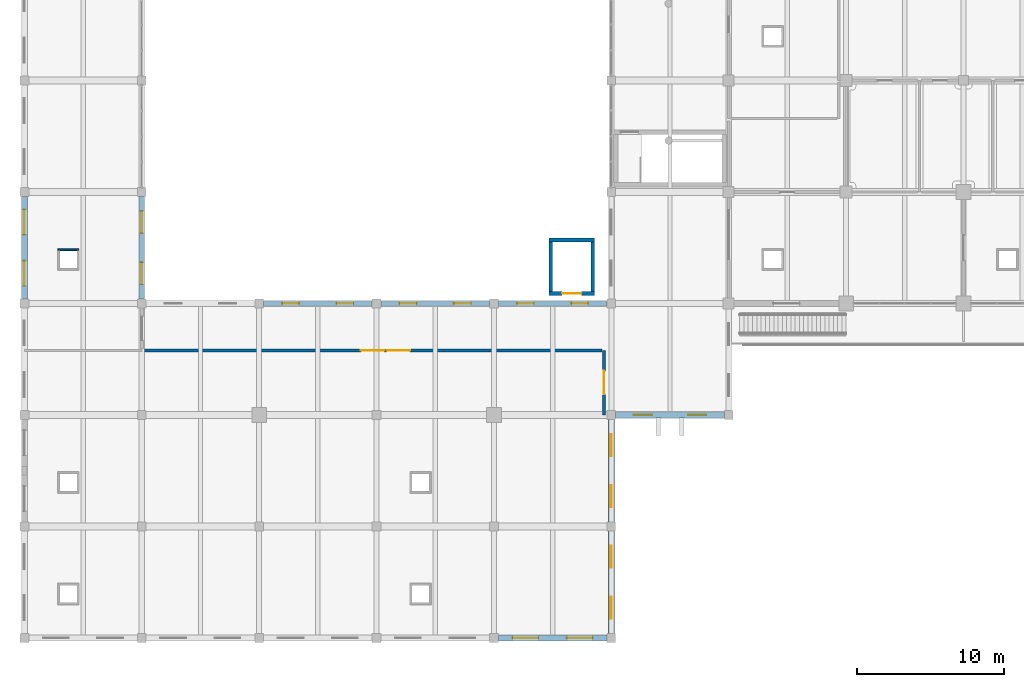
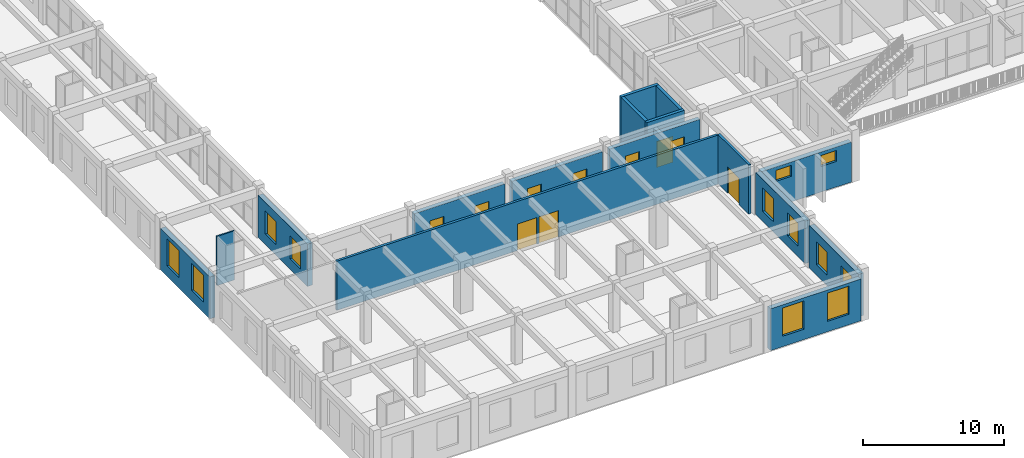
# One storey, part 52 of 79: 18 windows, 16 walls, 4 doors, 22 openings.
"""IFC4 building model written with IfcOpenShell, lengths in metres."""

from ifc_helpers import new_model, si_unit, direction, frame, frame_2d, origin, place, context, subcontext, project, spatial, rectangle, extrude, material, layer, layer_set, type_object, element, fill, save


model = new_model("IFC4")

# Units and contexts
model_context = context("Model", 3, precision=1e-05, world=origin(), true_north=direction((0.0, 1.0)))
body_context = subcontext(model_context, "Body", "Model", "MODEL_VIEW")
ifc_project = project(units=[si_unit("LENGTHUNIT", "METRE"), si_unit("AREAUNIT", "SQUARE_METRE"), si_unit("VOLUMEUNIT", "CUBIC_METRE"), si_unit("PLANEANGLEUNIT", "RADIAN"), si_unit("MASSUNIT", "GRAM", prefix="KILO")], contexts=[model_context])

# Site, building, storey
site_placement = place(None, origin())
site = spatial("IfcSite", under=ifc_project, at=site_placement, CompositionType="ELEMENT")
building_placement = place(site_placement, origin())
building = spatial("IfcBuilding", under=site, at=building_placement, Name="Zantavel Square City Hall", CompositionType="ELEMENT")
storey_placement = place(building_placement, frame((0.0, 0.0, 10.199951171875)))
storey = spatial("IfcBuildingStorey", under=building, at=storey_placement, Name="L03", CompositionType="ELEMENT", Elevation=10.199951171875)

# Wall, openings, windows
ifc_material_1 = material(Name="Cantera volcanic tuff stone", Category="masonry")
ifc_layer_1 = layer(ifc_material_1, 0.39990234375, Name="Cantera volcanic tuff stone")
ifc_layer_set_1 = layer_set([ifc_layer_1], Name="Cantera volcanic tuff stone")
wall_type_1 = type_object("IfcWallType", Name="Civic Pavilion Cantera Ashlar Wall 400mm", PredefinedType="STANDARD", material=ifc_layer_set_1)
wall_1_placement = place(storey_placement, frame((55.699951171875, 22.800048828125, 0.0), z_axis=(0.0, 0.0, 1.0), x_axis=(-1.0, 0.0, 0.0)))
wall_1 = element("IfcWall", 1, at=wall_1_placement, inside=storey, type_object=wall_type_1, Name="L03 Exterior Wall EW-L03-043", PredefinedType="STANDARD", context=body_context, shape_type="SweptSolid", body=[
    extrude(rectangle(XDim=7.39990234375, YDim=0.39990234375, at=frame_2d((3.699951171875, 0.0))), origin(), (0.0, 0.0, 1.0), 3.469970703125),
])
opening_1_placement = place(wall_1_placement, frame((1.22509765625, 0.0, 2.219970703125)))
opening_1 = element("IfcOpeningElement", 2, at=opening_1_placement, cuts=wall_1, Name="Opening W-326", PredefinedType="OPENING", context=body_context, shape_type="SweptSolid", body=[
    extrude(rectangle(XDim=1.25, YDim=0.949951171875, at=frame_2d((0.625, 0.47509765625))), frame((0.0, 0.2099609375, 0.0), z_axis=(0.0, -1.0, 0.0), x_axis=(1.0, 0.0, 0.0)), (0.0, 0.0, 1.0), 0.419921875),
])
opening_2_placement = place(wall_1_placement, frame((4.925048828125, 0.0, 2.219970703125)))
opening_2 = element("IfcOpeningElement", 3, at=opening_2_placement, cuts=wall_1, Name="Opening W-327", PredefinedType="OPENING", context=body_context, shape_type="SweptSolid", body=[
    extrude(rectangle(XDim=1.25, YDim=0.949951171875, at=frame_2d((0.625, 0.47509765625))), frame((0.0, 0.2099609375, 0.0), z_axis=(0.0, -1.0, 0.0), x_axis=(1.0, 0.0, 0.0)), (0.0, 0.0, 1.0), 0.419921875),
])
ifc_material_2 = material(Name="Tempered safety glass low-E double glazing", Category="glass")
window_type_1 = type_object("IfcWindowType", Name="Window Archive High Clerestory 1250x950", PartitioningType="SINGLE_PANEL", PredefinedType="WINDOW", material=ifc_material_2)
window_1_placement = place(opening_1_placement, origin())
window_1 = element("IfcWindow", 4, at=window_1_placement, inside=storey, type_object=window_type_1, Name="L03 Window W-326", OverallHeight=0.949951171875, OverallWidth=1.25, PartitioningType="SINGLE_PANEL", PredefinedType="WINDOW", context=body_context, shape_type="SweptSolid", body=[
    extrude(rectangle(XDim=1.25, YDim=0.949951171875, at=frame_2d((0.625, 0.47509765625))), frame((0.0, 0.030029296875, 0.0), z_axis=(0.0, -1.0, 0.0), x_axis=(1.0, 0.0, 0.0)), (0.0, 0.0, 1.0), 0.06005859375),
])
fill(opening_1, window_1)
window_2_placement = place(opening_2_placement, origin())
window_2 = element("IfcWindow", 5, at=window_2_placement, inside=storey, type_object=window_type_1, Name="L03 Window W-327", OverallHeight=0.949951171875, OverallWidth=1.25, PartitioningType="SINGLE_PANEL", PredefinedType="WINDOW", context=body_context, shape_type="SweptSolid", body=[
    extrude(rectangle(XDim=1.25, YDim=0.949951171875, at=frame_2d((0.625, 0.47509765625))), frame((0.0, 0.030029296875, 0.0), z_axis=(0.0, -1.0, 0.0), x_axis=(1.0, 0.0, 0.0)), (0.0, 0.0, 1.0), 0.06005859375),
])
fill(opening_2, window_2)

wall_2_placement = place(storey_placement, frame((48.0, 22.5, 0.0), z_axis=(0.0, 0.0, 1.0), x_axis=(0.0, -1.0, 0.0)))
wall_2 = element("IfcWall", 6, at=wall_2_placement, inside=storey, type_object=wall_type_1, Name="L03 Exterior Wall EW-L03-044", PredefinedType="STANDARD", context=body_context, shape_type="SweptSolid", body=[
    extrude(rectangle(XDim=7.0, YDim=0.39990234375, at=frame_2d((3.5, 0.0))), origin(), (0.0, 0.0, 1.0), 3.670166015625),
])
opening_3_placement = place(wall_2_placement, frame((1.0, 0.0, 0.89990234375)))
opening_3 = element("IfcOpeningElement", 7, at=opening_3_placement, cuts=wall_2, Name="Opening W-328", PredefinedType="OPENING", context=body_context, shape_type="SweptSolid", body=[
    extrude(rectangle(XDim=1.5, YDim=2.0, at=frame_2d((0.75, 1.0))), frame((0.0, 0.2099609375, 0.0), z_axis=(0.0, -1.0, 0.0), x_axis=(1.0, 0.0, 0.0)), (0.0, 0.0, 1.0), 0.419921875),
])
opening_4_placement = place(wall_2_placement, frame((4.5, 0.0, 0.89990234375)))
opening_4 = element("IfcOpeningElement", 8, at=opening_4_placement, cuts=wall_2, Name="Opening W-329", PredefinedType="OPENING", context=body_context, shape_type="SweptSolid", body=[
    extrude(rectangle(XDim=1.5, YDim=2.0, at=frame_2d((0.75, 1.0))), frame((0.0, 0.2099609375, 0.0), z_axis=(0.0, -1.0, 0.0), x_axis=(1.0, 0.0, 0.0)), (0.0, 0.0, 1.0), 0.419921875),
])
window_type_2 = type_object("IfcWindowType", Name="Window Planning Studio 1500x2000", PartitioningType="DOUBLE_PANEL_VERTICAL", PredefinedType="WINDOW", material=ifc_material_2)
window_3_placement = place(opening_3_placement, origin())
window_3 = element("IfcWindow", 9, at=window_3_placement, inside=storey, type_object=window_type_2, Name="L03 Window W-328", OverallHeight=2.0, OverallWidth=1.5, PartitioningType="DOUBLE_PANEL_VERTICAL", PredefinedType="WINDOW", context=body_context, shape_type="SweptSolid", body=[
    extrude(rectangle(XDim=1.5, YDim=2.0, at=frame_2d((0.75, 1.0))), frame((0.0, 0.030029296875, 0.0), z_axis=(0.0, -1.0, 0.0), x_axis=(1.0, 0.0, 0.0)), (0.0, 0.0, 1.0), 0.06005859375),
])
fill(opening_3, window_3)
window_4_placement = place(opening_4_placement, origin())
window_4 = element("IfcWindow", 10, at=window_4_placement, inside=storey, type_object=window_type_2, Name="L03 Window W-329", OverallHeight=2.0, OverallWidth=1.5, PartitioningType="DOUBLE_PANEL_VERTICAL", PredefinedType="WINDOW", context=body_context, shape_type="SweptSolid", body=[
    extrude(rectangle(XDim=1.5, YDim=2.0, at=frame_2d((0.75, 1.0))), frame((0.0, 0.030029296875, 0.0), z_axis=(0.0, -1.0, 0.0), x_axis=(1.0, 0.0, 0.0)), (0.0, 0.0, 1.0), 0.06005859375),
])
fill(opening_4, window_4)

wall_3_placement = place(storey_placement, frame((48.0, 14.89990234375, 0.0), z_axis=(0.0, 0.0, 1.0), x_axis=(0.0, -1.0, 0.0)))
wall_3 = element("IfcWall", 11, at=wall_3_placement, inside=storey, type_object=wall_type_1, Name="L03 Exterior Wall EW-L03-045", PredefinedType="STANDARD", context=body_context, shape_type="SweptSolid", body=[
    extrude(rectangle(XDim=7.0, YDim=0.39990234375, at=frame_2d((3.5, 0.0))), origin(), (0.0, 0.0, 1.0), 3.670166015625),
])
opening_5_placement = place(wall_3_placement, frame((1.0, 0.0, 0.89990234375)))
opening_5 = element("IfcOpeningElement", 12, at=opening_5_placement, cuts=wall_3, Name="Opening W-330", PredefinedType="OPENING", context=body_context, shape_type="SweptSolid", body=[
    extrude(rectangle(XDim=1.5, YDim=2.0, at=frame_2d((0.75, 1.0))), frame((0.0, 0.2099609375, 0.0), z_axis=(0.0, -1.0, 0.0), x_axis=(1.0, 0.0, 0.0)), (0.0, 0.0, 1.0), 0.419921875),
])
opening_6_placement = place(wall_3_placement, frame((4.5, 0.0, 0.89990234375)))
opening_6 = element("IfcOpeningElement", 13, at=opening_6_placement, cuts=wall_3, Name="Opening W-331", PredefinedType="OPENING", context=body_context, shape_type="SweptSolid", body=[
    extrude(rectangle(XDim=1.5, YDim=2.0, at=frame_2d((0.75, 1.0))), frame((0.0, 0.2099609375, 0.0), z_axis=(0.0, -1.0, 0.0), x_axis=(1.0, 0.0, 0.0)), (0.0, 0.0, 1.0), 0.419921875),
])
window_5_placement = place(opening_5_placement, origin())
window_5 = element("IfcWindow", 14, at=window_5_placement, inside=storey, type_object=window_type_2, Name="L03 Window W-330", OverallHeight=2.0, OverallWidth=1.5, PartitioningType="DOUBLE_PANEL_VERTICAL", PredefinedType="WINDOW", context=body_context, shape_type="SweptSolid", body=[
    extrude(rectangle(XDim=1.5, YDim=2.0, at=frame_2d((0.75, 1.0))), frame((0.0, 0.030029296875, 0.0), z_axis=(0.0, -1.0, 0.0), x_axis=(1.0, 0.0, 0.0)), (0.0, 0.0, 1.0), 0.06005859375),
])
fill(opening_5, window_5)
window_6_placement = place(opening_6_placement, origin())
window_6 = element("IfcWindow", 15, at=window_6_placement, inside=storey, type_object=window_type_2, Name="L03 Window W-331", OverallHeight=2.0, OverallWidth=1.5, PartitioningType="DOUBLE_PANEL_VERTICAL", PredefinedType="WINDOW", context=body_context, shape_type="SweptSolid", body=[
    extrude(rectangle(XDim=1.5, YDim=2.0, at=frame_2d((0.75, 1.0))), frame((0.0, 0.030029296875, 0.0), z_axis=(0.0, -1.0, 0.0), x_axis=(1.0, 0.0, 0.0)), (0.0, 0.0, 1.0), 0.06005859375),
])
fill(opening_6, window_6)

wall_4_placement = place(storey_placement, frame((47.699951171875, 7.60009765625, 0.0), z_axis=(0.0, 0.0, 1.0), x_axis=(-1.0, 0.0, 0.0)))
wall_4 = element("IfcWall", 16, at=wall_4_placement, inside=storey, type_object=wall_type_1, Name="L03 Exterior Wall EW-L03-046", PredefinedType="STANDARD", context=body_context, shape_type="SweptSolid", body=[
    extrude(rectangle(XDim=7.39990234375, YDim=0.39990234375, at=frame_2d((3.699951171875, 0.0))), origin(), (0.0, 0.0, 1.0), 3.6201171875),
])
opening_7_placement = place(wall_4_placement, frame((0.97509765625, 0.0, 0.89990234375)))
opening_7 = element("IfcOpeningElement", 17, at=opening_7_placement, cuts=wall_4, Name="Opening W-332", PredefinedType="OPENING", context=body_context, shape_type="SweptSolid", body=[
    extrude(rectangle(XDim=1.75, YDim=2.449951171875, at=frame_2d((0.875, 1.22509765625))), frame((0.0, 0.2099609375, 0.0), z_axis=(0.0, -1.0, 0.0), x_axis=(1.0, 0.0, 0.0)), (0.0, 0.0, 1.0), 0.419921875),
])
opening_8_placement = place(wall_4_placement, frame((4.675048828125, 0.0, 0.89990234375)))
opening_8 = element("IfcOpeningElement", 18, at=opening_8_placement, cuts=wall_4, Name="Opening W-333", PredefinedType="OPENING", context=body_context, shape_type="SweptSolid", body=[
    extrude(rectangle(XDim=1.75, YDim=2.449951171875, at=frame_2d((0.875, 1.22509765625))), frame((0.0, 0.2099609375, 0.0), z_axis=(0.0, -1.0, 0.0), x_axis=(1.0, 0.0, 0.0)), (0.0, 0.0, 1.0), 0.419921875),
])
window_type_3 = type_object("IfcWindowType", Name="Window Piano Nobile Pediment 1750x2450", PartitioningType="DOUBLE_PANEL_VERTICAL", PredefinedType="WINDOW", material=ifc_material_2)
window_7_placement = place(opening_7_placement, origin())
window_7 = element("IfcWindow", 19, at=window_7_placement, inside=storey, type_object=window_type_3, Name="L03 Window W-332", OverallHeight=2.449951171875, OverallWidth=1.75, PartitioningType="DOUBLE_PANEL_VERTICAL", PredefinedType="WINDOW", context=body_context, shape_type="SweptSolid", body=[
    extrude(rectangle(XDim=1.75, YDim=2.449951171875, at=frame_2d((0.875, 1.22509765625))), frame((0.0, 0.030029296875, 0.0), z_axis=(0.0, -1.0, 0.0), x_axis=(1.0, 0.0, 0.0)), (0.0, 0.0, 1.0), 0.06005859375),
])
fill(opening_7, window_7)
window_8_placement = place(opening_8_placement, origin())
window_8 = element("IfcWindow", 20, at=window_8_placement, inside=storey, type_object=window_type_3, Name="L03 Window W-333", OverallHeight=2.449951171875, OverallWidth=1.75, PartitioningType="DOUBLE_PANEL_VERTICAL", PredefinedType="WINDOW", context=body_context, shape_type="SweptSolid", body=[
    extrude(rectangle(XDim=1.75, YDim=2.449951171875, at=frame_2d((0.875, 1.22509765625))), frame((0.0, 0.030029296875, 0.0), z_axis=(0.0, -1.0, 0.0), x_axis=(1.0, 0.0, 0.0)), (0.0, 0.0, 1.0), 0.06005859375),
])
fill(opening_8, window_8)

wall_5_placement = place(storey_placement, frame((8.0, 30.699951171875, 0.0), z_axis=(0.0, 0.0, 1.0), x_axis=(0.0, 1.0, 0.0)))
wall_5 = element("IfcWall", 21, at=wall_5_placement, inside=storey, type_object=wall_type_1, Name="L03 Exterior Wall EW-L03-055", PredefinedType="STANDARD", context=body_context, shape_type="SweptSolid", body=[
    extrude(rectangle(XDim=7.0, YDim=0.39990234375, at=frame_2d((3.5, 0.0))), origin(), (0.0, 0.0, 1.0), 3.6201171875),
])
opening_9_placement = place(wall_5_placement, frame((0.89990234375, 0.0, 0.89990234375)))
opening_9 = element("IfcOpeningElement", 22, at=opening_9_placement, cuts=wall_5, Name="Opening W-348", PredefinedType="OPENING", context=body_context, shape_type="SweptSolid", body=[
    extrude(rectangle(XDim=1.699951171875, YDim=2.35009765625, at=frame_2d((0.85009765625, 1.175048828125))), frame((0.0, 0.2099609375, 0.0), z_axis=(0.0, -1.0, 0.0), x_axis=(1.0, 0.0, 0.0)), (0.0, 0.0, 1.0), 0.419921875),
])
opening_10_placement = place(wall_5_placement, frame((4.39990234375, 0.0, 0.89990234375)))
opening_10 = element("IfcOpeningElement", 23, at=opening_10_placement, cuts=wall_5, Name="Opening W-349", PredefinedType="OPENING", context=body_context, shape_type="SweptSolid", body=[
    extrude(rectangle(XDim=1.699951171875, YDim=2.35009765625, at=frame_2d((0.85009765625, 1.175048828125))), frame((0.0, 0.2099609375, 0.0), z_axis=(0.0, -1.0, 0.0), x_axis=(1.0, 0.0, 0.0)), (0.0, 0.0, 1.0), 0.419921875),
])
window_type_4 = type_object("IfcWindowType", Name="Window Library Reading Tall 1700x2350", PartitioningType="DOUBLE_PANEL_VERTICAL", PredefinedType="WINDOW", material=ifc_material_2)
window_9_placement = place(opening_9_placement, origin())
window_9 = element("IfcWindow", 24, at=window_9_placement, inside=storey, type_object=window_type_4, Name="L03 Window W-348", OverallHeight=2.35009765625, OverallWidth=1.699951171875, PartitioningType="DOUBLE_PANEL_VERTICAL", PredefinedType="WINDOW", context=body_context, shape_type="SweptSolid", body=[
    extrude(rectangle(XDim=1.699951171875, YDim=2.35009765625, at=frame_2d((0.85009765625, 1.175048828125))), frame((0.0, 0.030029296875, 0.0), z_axis=(0.0, -1.0, 0.0), x_axis=(1.0, 0.0, 0.0)), (0.0, 0.0, 1.0), 0.06005859375),
])
fill(opening_9, window_9)
window_10_placement = place(opening_10_placement, origin())
window_10 = element("IfcWindow", 25, at=window_10_placement, inside=storey, type_object=window_type_4, Name="L03 Window W-349", OverallHeight=2.35009765625, OverallWidth=1.699951171875, PartitioningType="DOUBLE_PANEL_VERTICAL", PredefinedType="WINDOW", context=body_context, shape_type="SweptSolid", body=[
    extrude(rectangle(XDim=1.699951171875, YDim=2.35009765625, at=frame_2d((0.85009765625, 1.175048828125))), frame((0.0, 0.030029296875, 0.0), z_axis=(0.0, -1.0, 0.0), x_axis=(1.0, 0.0, 0.0)), (0.0, 0.0, 1.0), 0.06005859375),
])
fill(opening_10, window_10)

wall_6_placement = place(storey_placement, frame((16.0, 37.699951171875, 0.0), z_axis=(0.0, 0.0, 1.0), x_axis=(0.0, -1.0, 0.0)))
wall_6 = element("IfcWall", 26, at=wall_6_placement, inside=storey, type_object=wall_type_1, Name="L03 Exterior Wall EW-L03-064", PredefinedType="STANDARD", context=body_context, shape_type="SweptSolid", body=[
    extrude(rectangle(XDim=7.0, YDim=0.39990234375, at=frame_2d((3.5, 0.0))), origin(), (0.0, 0.0, 1.0), 3.670166015625),
])
opening_11_placement = place(wall_6_placement, frame((1.0, 0.0, 0.89990234375)))
opening_11 = element("IfcOpeningElement", 27, at=opening_11_placement, cuts=wall_6, Name="Opening W-360", PredefinedType="OPENING", context=body_context, shape_type="SweptSolid", body=[
    extrude(rectangle(XDim=1.5, YDim=2.0, at=frame_2d((0.75, 1.0))), frame((0.0, 0.2099609375, 0.0), z_axis=(0.0, -1.0, 0.0), x_axis=(1.0, 0.0, 0.0)), (0.0, 0.0, 1.0), 0.419921875),
])
opening_12_placement = place(wall_6_placement, frame((4.5, 0.0, 0.89990234375)))
opening_12 = element("IfcOpeningElement", 28, at=opening_12_placement, cuts=wall_6, Name="Opening W-361", PredefinedType="OPENING", context=body_context, shape_type="SweptSolid", body=[
    extrude(rectangle(XDim=1.5, YDim=2.0, at=frame_2d((0.75, 1.0))), frame((0.0, 0.2099609375, 0.0), z_axis=(0.0, -1.0, 0.0), x_axis=(1.0, 0.0, 0.0)), (0.0, 0.0, 1.0), 0.419921875),
])
window_11_placement = place(opening_11_placement, origin())
window_11 = element("IfcWindow", 29, at=window_11_placement, inside=storey, type_object=window_type_2, Name="L03 Window W-360", OverallHeight=2.0, OverallWidth=1.5, PartitioningType="DOUBLE_PANEL_VERTICAL", PredefinedType="WINDOW", context=body_context, shape_type="SweptSolid", body=[
    extrude(rectangle(XDim=1.5, YDim=2.0, at=frame_2d((0.75, 1.0))), frame((0.0, 0.030029296875, 0.0), z_axis=(0.0, -1.0, 0.0), x_axis=(1.0, 0.0, 0.0)), (0.0, 0.0, 1.0), 0.06005859375),
])
fill(opening_11, window_11)
window_12_placement = place(opening_12_placement, origin())
window_12 = element("IfcWindow", 30, at=window_12_placement, inside=storey, type_object=window_type_2, Name="L03 Window W-361", OverallHeight=2.0, OverallWidth=1.5, PartitioningType="DOUBLE_PANEL_VERTICAL", PredefinedType="WINDOW", context=body_context, shape_type="SweptSolid", body=[
    extrude(rectangle(XDim=1.5, YDim=2.0, at=frame_2d((0.75, 1.0))), frame((0.0, 0.030029296875, 0.0), z_axis=(0.0, -1.0, 0.0), x_axis=(1.0, 0.0, 0.0)), (0.0, 0.0, 1.0), 0.06005859375),
])
fill(opening_12, window_12)

# Wall, opening, door
ifc_layer_2 = layer(ifc_material_1, 0.199951171875, Name="Cantera volcanic tuff stone")
ifc_layer_set_2 = layer_set([ifc_layer_2], Name="Cantera volcanic tuff stone")
wall_type_2 = type_object("IfcWallType", Name="Exit Corridor Rated Wall 200mm", PredefinedType="STANDARD", material=ifc_layer_set_2)
wall_7_placement = place(storey_placement, frame((47.5, 27.199951171875, 0.0), z_axis=(0.0, 0.0, 1.0), x_axis=(0.0, -1.0, 0.0)))
wall_7 = element("IfcWall", 31, at=wall_7_placement, inside=storey, type_object=wall_type_2, Name="L03 Interior Wall IW-L03-0266", PredefinedType="STANDARD", context=body_context, shape_type="SweptSolid", body=[
    extrude(rectangle(XDim=4.39990234375, YDim=0.199951171875, at=frame_2d((2.199951171875, 0.0))), origin(), (0.0, 0.0, 1.0), 4.260009765625),
])
opening_13_placement = place(wall_7_placement, frame((1.39990234375, 0.0, 0.0)))
opening_13 = element("IfcOpeningElement", 32, at=opening_13_placement, cuts=wall_7, Name="Opening D-0121", PredefinedType="OPENING", context=body_context, shape_type="SweptSolid", body=[
    extrude(rectangle(XDim=1.60009765625, YDim=2.300048828125, at=frame_2d((0.800048828125, 1.14990234375))), frame((0.0, 0.10986328125, 0.0), z_axis=(0.0, -1.0, 0.0), x_axis=(1.0, 0.0, 0.0)), (0.0, 0.0, 1.0), 0.219970703125),
])
ifc_material_3 = material(Name="Solid oak hardwood", Category="wood")
door_type_1 = type_object("IfcDoorType", Name="Committee Suite Fire Double Door 1600x2300 FD60S", OperationType="NOTDEFINED", PredefinedType="DOOR", material=ifc_material_3)
door_1_placement = place(opening_13_placement, origin())
door_1 = element("IfcDoor", 33, at=door_1_placement, inside=storey, type_object=door_type_1, Name="L03 Members Library Reading Room Door", OperationType="DOUBLE_DOOR_SINGLE_SWING", OverallHeight=2.300048828125, OverallWidth=1.60009765625, PredefinedType="DOOR", context=body_context, shape_type="SweptSolid", body=[
    extrude(rectangle(XDim=1.60009765625, YDim=2.300048828125, at=frame_2d((0.800048828125, 1.14990234375))), frame((0.0, 0.02490234375, 0.0), z_axis=(0.0, -1.0, 0.0), x_axis=(1.0, 0.0, 0.0)), (0.0, 0.0, 1.0), 0.050048828125),
])
fill(opening_13, door_1)

# Wall, openings, doors
wall_8_placement = place(storey_placement, frame((16.125, 27.199951171875, 0.0), z_axis=(0.0, 0.0, 1.0), x_axis=(1.0, 0.0, 0.0)))
wall_8 = element("IfcWall", 34, at=wall_8_placement, inside=storey, type_object=wall_type_2, Name="L03 Interior Wall IW-L03-0267", PredefinedType="STANDARD", context=body_context, shape_type="SweptSolid", body=[
    extrude(rectangle(XDim=31.22509765625, YDim=0.199951171875, at=frame_2d((15.612548828125, 0.0))), origin(), (0.0, 0.0, 1.0), 4.260009765625),
])
opening_14_placement = place(wall_8_placement, frame((14.8125, 0.0, 0.0)))
opening_14 = element("IfcOpeningElement", 35, at=opening_14_placement, cuts=wall_8, Name="Opening D-0122", PredefinedType="OPENING", context=body_context, shape_type="SweptSolid", body=[
    extrude(rectangle(XDim=1.60009765625, YDim=2.300048828125, at=frame_2d((0.800048828125, 1.14990234375))), frame((0.0, 0.10986328125, 0.0), z_axis=(0.0, -1.0, 0.0), x_axis=(1.0, 0.0, 0.0)), (0.0, 0.0, 1.0), 0.219970703125),
])
opening_15_placement = place(wall_8_placement, frame((16.5625, 0.0, 0.0)))
opening_15 = element("IfcOpeningElement", 36, at=opening_15_placement, cuts=wall_8, Name="Opening D-0139", PredefinedType="OPENING", context=body_context, shape_type="SweptSolid", body=[
    extrude(rectangle(XDim=1.60009765625, YDim=2.300048828125, at=frame_2d((0.800048828125, 1.14990234375))), frame((0.0, 0.10986328125, 0.0), z_axis=(0.0, -1.0, 0.0), x_axis=(1.0, 0.0, 0.0)), (0.0, 0.0, 1.0), 0.219970703125),
])
door_2_placement = place(opening_14_placement, origin())
door_2 = element("IfcDoor", 37, at=door_2_placement, inside=storey, type_object=door_type_1, Name="L03 Members Library Reading Room Door", OperationType="DOUBLE_DOOR_SINGLE_SWING", OverallHeight=2.300048828125, OverallWidth=1.60009765625, PredefinedType="DOOR", context=body_context, shape_type="SweptSolid", body=[
    extrude(rectangle(XDim=1.60009765625, YDim=2.300048828125, at=frame_2d((0.800048828125, 1.14990234375))), frame((0.0, 0.02490234375, 0.0), z_axis=(0.0, -1.0, 0.0), x_axis=(1.0, 0.0, 0.0)), (0.0, 0.0, 1.0), 0.050048828125),
])
fill(opening_14, door_2)
door_3_placement = place(opening_15_placement, origin())
door_3 = element("IfcDoor", 38, at=door_3_placement, inside=storey, type_object=door_type_1, Name="L03 Members Library Reading Room Door", OperationType="DOUBLE_DOOR_SINGLE_SWING", OverallHeight=2.300048828125, OverallWidth=1.60009765625, PredefinedType="DOOR", context=body_context, shape_type="SweptSolid", body=[
    extrude(rectangle(XDim=1.60009765625, YDim=2.300048828125, at=frame_2d((0.800048828125, 1.14990234375))), frame((0.0, 0.02490234375, 0.0), z_axis=(0.0, -1.0, 0.0), x_axis=(1.0, 0.0, 0.0)), (0.0, 0.0, 1.0), 0.050048828125),
])
fill(opening_15, door_3)

# Wall, opening, door
ifc_material_4 = material(Name="Concrete C40/50", Category="concrete")
ifc_layer_3 = layer(ifc_material_4, 0.25, Name="Concrete C40/50")
ifc_layer_set_3 = layer_set([ifc_layer_3], Name="Concrete C40/50")
wall_type_3 = type_object("IfcWallType", Name="Lift Shaft Wall RC 250mm C40/50", PredefinedType="SHEAR", material=ifc_layer_set_3)
wall_9_placement = place(storey_placement, frame((46.85009765625, 31.074951171875, 0.0), z_axis=(0.0, 0.0, 1.0), x_axis=(-1.0, 0.0, 0.0)))
wall_9 = element("IfcWall", 39, at=wall_9_placement, inside=storey, type_object=wall_type_3, Name="L03 Lift LF08 Shaft Wall South", PredefinedType="SHEAR", context=body_context, shape_type="SweptSolid", body=[
    extrude(rectangle(XDim=3.10009765625, YDim=0.25, at=frame_2d((1.550048828125, 0.0))), origin(), (0.0, 0.0, 1.0), 4.260009765625),
])
opening_16_placement = place(wall_9_placement, frame((0.89990234375, 0.0, 0.0)))
opening_16 = element("IfcOpeningElement", 40, at=opening_16_placement, cuts=wall_9, Name="Opening LD-LF08-L03", PredefinedType="OPENING", context=body_context, shape_type="SweptSolid", body=[
    extrude(rectangle(XDim=1.300048828125, YDim=2.25, at=frame_2d((0.64990234375, 1.125))), frame((0.0, 0.135009765625, 0.0), z_axis=(0.0, -1.0, 0.0), x_axis=(1.0, 0.0, 0.0)), (0.0, 0.0, 1.0), 0.27001953125),
])
ifc_material_5 = material(Name="Stainless steel 316", Category="steel")
door_type_2 = type_object("IfcDoorType", Name="Goods Lift Landing Sliding Door 1300x2250 FD90S", OperationType="NOTDEFINED", PredefinedType="DOOR", material=ifc_material_5)
door_4_placement = place(opening_16_placement, origin())
door_4 = element("IfcDoor", 41, at=door_4_placement, inside=storey, type_object=door_type_2, Name="L03 Lift LF08 Sliding Landing Door", OperationType="DOUBLE_DOOR_SLIDING", OverallHeight=2.25, OverallWidth=1.300048828125, PredefinedType="DOOR", context=body_context, shape_type="SweptSolid", body=[
    extrude(rectangle(XDim=1.300048828125, YDim=2.25, at=frame_2d((0.64990234375, 1.125))), frame((0.0, 0.02490234375, 0.0), z_axis=(0.0, -1.0, 0.0), x_axis=(1.0, 0.0, 0.0)), (0.0, 0.0, 1.0), 0.050048828125),
])
fill(opening_16, door_4)

# Walls
wall_10_placement = place(storey_placement, frame((43.875, 31.199951171875, 0.0), z_axis=(0.0, 0.0, 1.0), x_axis=(0.0, 1.0, 0.0)))
element("IfcWall", 42, at=wall_10_placement, inside=storey, type_object=wall_type_3, Name="L03 Lift LF08 Shaft Wall West", PredefinedType="SHEAR", context=body_context, shape_type="SweptSolid", body=[
    extrude(rectangle(XDim=3.400146484375, YDim=0.25, at=frame_2d((1.7001953125, 0.0))), origin(), (0.0, 0.0, 1.0), 4.260009765625),
])
wall_11_placement = place(storey_placement, frame((43.75, 34.72509765625, 0.0), z_axis=(0.0, 0.0, 1.0), x_axis=(1.0, 0.0, 0.0)))
element("IfcWall", 43, at=wall_11_placement, inside=storey, type_object=wall_type_3, Name="L03 Lift LF08 Shaft Wall North", PredefinedType="SHEAR", context=body_context, shape_type="SweptSolid", body=[
    extrude(rectangle(XDim=3.10009765625, YDim=0.25, at=frame_2d((1.550048828125, 0.0))), origin(), (0.0, 0.0, 1.0), 4.260009765625),
])
wall_12_placement = place(storey_placement, frame((46.72509765625, 34.60009765625, 0.0), z_axis=(0.0, 0.0, 1.0), x_axis=(0.0, -1.0, 0.0)))
element("IfcWall", 44, at=wall_12_placement, inside=storey, type_object=wall_type_3, Name="L03 Lift LF08 Shaft Wall East", PredefinedType="SHEAR", context=body_context, shape_type="SweptSolid", body=[
    extrude(rectangle(XDim=3.400146484375, YDim=0.25, at=frame_2d((1.7001953125, 0.0))), origin(), (0.0, 0.0, 1.0), 4.260009765625),
])

# Wall, openings, windows
ifc_layer_4 = layer(ifc_material_1, 0.340087890625, Name="Cantera volcanic tuff stone")
ifc_layer_set_4 = layer_set([ifc_layer_4], Name="Cantera volcanic tuff stone")
wall_type_4 = type_object("IfcWallType", Name="North Insulated Cantera Wall 340mm", PredefinedType="STANDARD", material=ifc_layer_set_4)
wall_13_placement = place(storey_placement, frame((24.300048828125, 30.39990234375, 0.0), z_axis=(0.0, 0.0, 1.0), x_axis=(1.0, 0.0, 0.0)))
wall_13 = element("IfcWall", 45, at=wall_13_placement, inside=storey, type_object=wall_type_4, Name="L03 Exterior Wall EW-L03-066", PredefinedType="STANDARD", context=body_context, shape_type="SweptSolid", body=[
    extrude(rectangle(XDim=7.39990234375, YDim=0.340087890625, at=frame_2d((3.699951171875, 0.0))), origin(), (0.0, 0.0, 1.0), 3.6201171875),
])
opening_17_placement = place(wall_13_placement, frame((1.27490234375, 0.0, 1.050048828125)))
opening_17 = element("IfcOpeningElement", 46, at=opening_17_placement, cuts=wall_13, Name="Opening W-364", PredefinedType="OPENING", context=body_context, shape_type="SweptSolid", body=[
    extrude(rectangle(XDim=1.14990234375, YDim=1.5, at=frame_2d((0.574951171875, 0.75))), frame((0.0, 0.179931640625, 0.0), z_axis=(0.0, -1.0, 0.0), x_axis=(1.0, 0.0, 0.0)), (0.0, 0.0, 1.0), 0.360107421875),
])
opening_18_placement = place(wall_13_placement, frame((4.97509765625, 0.0, 1.050048828125)))
opening_18 = element("IfcOpeningElement", 47, at=opening_18_placement, cuts=wall_13, Name="Opening W-365", PredefinedType="OPENING", context=body_context, shape_type="SweptSolid", body=[
    extrude(rectangle(XDim=1.14990234375, YDim=1.5, at=frame_2d((0.574951171875, 0.75))), frame((0.0, 0.179931640625, 0.0), z_axis=(0.0, -1.0, 0.0), x_axis=(1.0, 0.0, 0.0)), (0.0, 0.0, 1.0), 0.360107421875),
])
window_type_5 = type_object("IfcWindowType", Name="Window Piano Nobile North 1150x1500", PartitioningType="SINGLE_PANEL", PredefinedType="WINDOW", material=ifc_material_2)
window_13_placement = place(opening_17_placement, origin())
window_13 = element("IfcWindow", 48, at=window_13_placement, inside=storey, type_object=window_type_5, Name="L03 Window W-364", OverallHeight=1.5, OverallWidth=1.14990234375, PartitioningType="SINGLE_PANEL", PredefinedType="WINDOW", context=body_context, shape_type="SweptSolid", body=[
    extrude(rectangle(XDim=1.14990234375, YDim=1.5, at=frame_2d((0.574951171875, 0.75))), frame((0.0, 0.030029296875, 0.0), z_axis=(0.0, -1.0, 0.0), x_axis=(1.0, 0.0, 0.0)), (0.0, 0.0, 1.0), 0.06005859375),
])
fill(opening_17, window_13)
window_14_placement = place(opening_18_placement, origin())
window_14 = element("IfcWindow", 49, at=window_14_placement, inside=storey, type_object=window_type_5, Name="L03 Window W-365", OverallHeight=1.5, OverallWidth=1.14990234375, PartitioningType="SINGLE_PANEL", PredefinedType="WINDOW", context=body_context, shape_type="SweptSolid", body=[
    extrude(rectangle(XDim=1.14990234375, YDim=1.5, at=frame_2d((0.574951171875, 0.75))), frame((0.0, 0.030029296875, 0.0), z_axis=(0.0, -1.0, 0.0), x_axis=(1.0, 0.0, 0.0)), (0.0, 0.0, 1.0), 0.06005859375),
])
fill(opening_18, window_14)

wall_14_placement = place(storey_placement, frame((32.300048828125, 30.39990234375, 0.0), z_axis=(0.0, 0.0, 1.0), x_axis=(1.0, 0.0, 0.0)))
wall_14 = element("IfcWall", 50, at=wall_14_placement, inside=storey, type_object=wall_type_4, Name="L03 Exterior Wall EW-L03-067", PredefinedType="STANDARD", context=body_context, shape_type="SweptSolid", body=[
    extrude(rectangle(XDim=7.39990234375, YDim=0.340087890625, at=frame_2d((3.699951171875, 0.0))), origin(), (0.0, 0.0, 1.0), 3.6201171875),
])
opening_19_placement = place(wall_14_placement, frame((1.27490234375, 0.0, 1.050048828125)))
opening_19 = element("IfcOpeningElement", 51, at=opening_19_placement, cuts=wall_14, Name="Opening W-366", PredefinedType="OPENING", context=body_context, shape_type="SweptSolid", body=[
    extrude(rectangle(XDim=1.14990234375, YDim=1.5, at=frame_2d((0.574951171875, 0.75))), frame((0.0, 0.179931640625, 0.0), z_axis=(0.0, -1.0, 0.0), x_axis=(1.0, 0.0, 0.0)), (0.0, 0.0, 1.0), 0.360107421875),
])
opening_20_placement = place(wall_14_placement, frame((4.97509765625, 0.0, 1.050048828125)))
opening_20 = element("IfcOpeningElement", 52, at=opening_20_placement, cuts=wall_14, Name="Opening W-367", PredefinedType="OPENING", context=body_context, shape_type="SweptSolid", body=[
    extrude(rectangle(XDim=1.14990234375, YDim=1.5, at=frame_2d((0.574951171875, 0.75))), frame((0.0, 0.179931640625, 0.0), z_axis=(0.0, -1.0, 0.0), x_axis=(1.0, 0.0, 0.0)), (0.0, 0.0, 1.0), 0.360107421875),
])
window_15_placement = place(opening_19_placement, origin())
window_15 = element("IfcWindow", 53, at=window_15_placement, inside=storey, type_object=window_type_5, Name="L03 Window W-366", OverallHeight=1.5, OverallWidth=1.14990234375, PartitioningType="SINGLE_PANEL", PredefinedType="WINDOW", context=body_context, shape_type="SweptSolid", body=[
    extrude(rectangle(XDim=1.14990234375, YDim=1.5, at=frame_2d((0.574951171875, 0.75))), frame((0.0, 0.030029296875, 0.0), z_axis=(0.0, -1.0, 0.0), x_axis=(1.0, 0.0, 0.0)), (0.0, 0.0, 1.0), 0.06005859375),
])
fill(opening_19, window_15)
window_16_placement = place(opening_20_placement, origin())
window_16 = element("IfcWindow", 54, at=window_16_placement, inside=storey, type_object=window_type_5, Name="L03 Window W-367", OverallHeight=1.5, OverallWidth=1.14990234375, PartitioningType="SINGLE_PANEL", PredefinedType="WINDOW", context=body_context, shape_type="SweptSolid", body=[
    extrude(rectangle(XDim=1.14990234375, YDim=1.5, at=frame_2d((0.574951171875, 0.75))), frame((0.0, 0.030029296875, 0.0), z_axis=(0.0, -1.0, 0.0), x_axis=(1.0, 0.0, 0.0)), (0.0, 0.0, 1.0), 0.06005859375),
])
fill(opening_20, window_16)

wall_15_placement = place(storey_placement, frame((40.300048828125, 30.39990234375, 0.0), z_axis=(0.0, 0.0, 1.0), x_axis=(1.0, 0.0, 0.0)))
wall_15 = element("IfcWall", 55, at=wall_15_placement, inside=storey, type_object=wall_type_4, Name="L03 Exterior Wall EW-L03-068", PredefinedType="STANDARD", context=body_context, shape_type="SweptSolid", body=[
    extrude(rectangle(XDim=7.39990234375, YDim=0.340087890625, at=frame_2d((3.699951171875, 0.0))), origin(), (0.0, 0.0, 1.0), 3.6201171875),
])
opening_21_placement = place(wall_15_placement, frame((1.27490234375, 0.0, 1.050048828125)))
opening_21 = element("IfcOpeningElement", 56, at=opening_21_placement, cuts=wall_15, Name="Opening W-368", PredefinedType="OPENING", context=body_context, shape_type="SweptSolid", body=[
    extrude(rectangle(XDim=1.14990234375, YDim=1.5, at=frame_2d((0.574951171875, 0.75))), frame((0.0, 0.179931640625, 0.0), z_axis=(0.0, -1.0, 0.0), x_axis=(1.0, 0.0, 0.0)), (0.0, 0.0, 1.0), 0.360107421875),
])
opening_22_placement = place(wall_15_placement, frame((4.97509765625, 0.0, 1.050048828125)))
opening_22 = element("IfcOpeningElement", 57, at=opening_22_placement, cuts=wall_15, Name="Opening W-369", PredefinedType="OPENING", context=body_context, shape_type="SweptSolid", body=[
    extrude(rectangle(XDim=1.14990234375, YDim=1.5, at=frame_2d((0.574951171875, 0.75))), frame((0.0, 0.179931640625, 0.0), z_axis=(0.0, -1.0, 0.0), x_axis=(1.0, 0.0, 0.0)), (0.0, 0.0, 1.0), 0.360107421875),
])
window_17_placement = place(opening_21_placement, origin())
window_17 = element("IfcWindow", 58, at=window_17_placement, inside=storey, type_object=window_type_5, Name="L03 Window W-368", OverallHeight=1.5, OverallWidth=1.14990234375, PartitioningType="SINGLE_PANEL", PredefinedType="WINDOW", context=body_context, shape_type="SweptSolid", body=[
    extrude(rectangle(XDim=1.14990234375, YDim=1.5, at=frame_2d((0.574951171875, 0.75))), frame((0.0, 0.030029296875, 0.0), z_axis=(0.0, -1.0, 0.0), x_axis=(1.0, 0.0, 0.0)), (0.0, 0.0, 1.0), 0.06005859375),
])
fill(opening_21, window_17)
window_18_placement = place(opening_22_placement, origin())
window_18 = element("IfcWindow", 59, at=window_18_placement, inside=storey, type_object=window_type_5, Name="L03 Window W-369", OverallHeight=1.5, OverallWidth=1.14990234375, PartitioningType="SINGLE_PANEL", PredefinedType="WINDOW", context=body_context, shape_type="SweptSolid", body=[
    extrude(rectangle(XDim=1.14990234375, YDim=1.5, at=frame_2d((0.574951171875, 0.75))), frame((0.0, 0.030029296875, 0.0), z_axis=(0.0, -1.0, 0.0), x_axis=(1.0, 0.0, 0.0)), (0.0, 0.0, 1.0), 0.06005859375),
])
fill(opening_22, window_18)

# Wall
ifc_material_6 = material(Name="Concrete C35/45", Category="concrete")
ifc_layer_5 = layer(ifc_material_6, 0.1201171875, Name="Concrete C35/45")
ifc_layer_set_5 = layer_set([ifc_layer_5], Name="Concrete C35/45")
wall_type_5 = type_object("IfcWallType", Name="Riser Chase Wall RC 120mm C35/45", PredefinedType="PARTITIONING", material=ifc_layer_set_5)
wall_16_placement = place(storey_placement, frame((10.280029296875, 34.06005859375, 0.0), z_axis=(0.0, 0.0, 1.0), x_axis=(1.0, 0.0, 0.0)))
element("IfcWall", 60, at=wall_16_placement, inside=storey, type_object=wall_type_5, Name="L03 MEP Riser 10 Wall N", PredefinedType="PARTITIONING", context=body_context, shape_type="SweptSolid", body=[
    extrude(rectangle(XDim=1.43994140625, YDim=0.1201171875, at=frame_2d((0.719970703125, 0.0))), origin(), (0.0, 0.0, 1.0), 4.260009765625),
])

save(model, "model.ifc")
